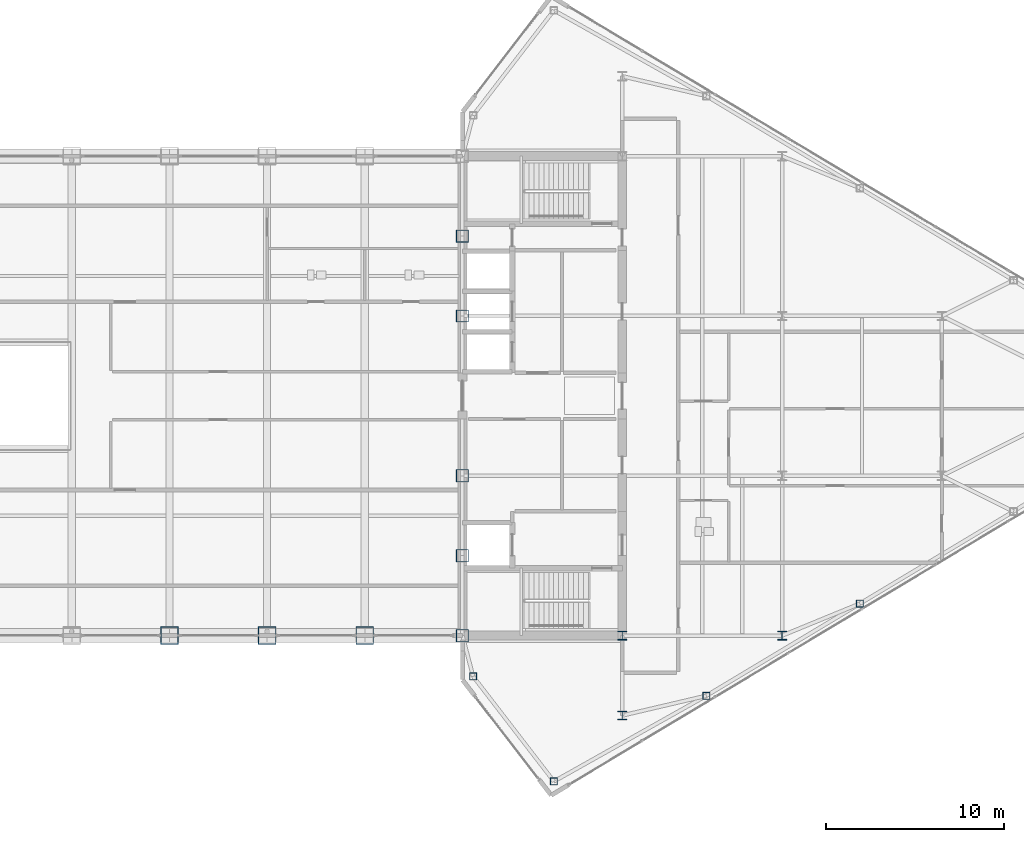
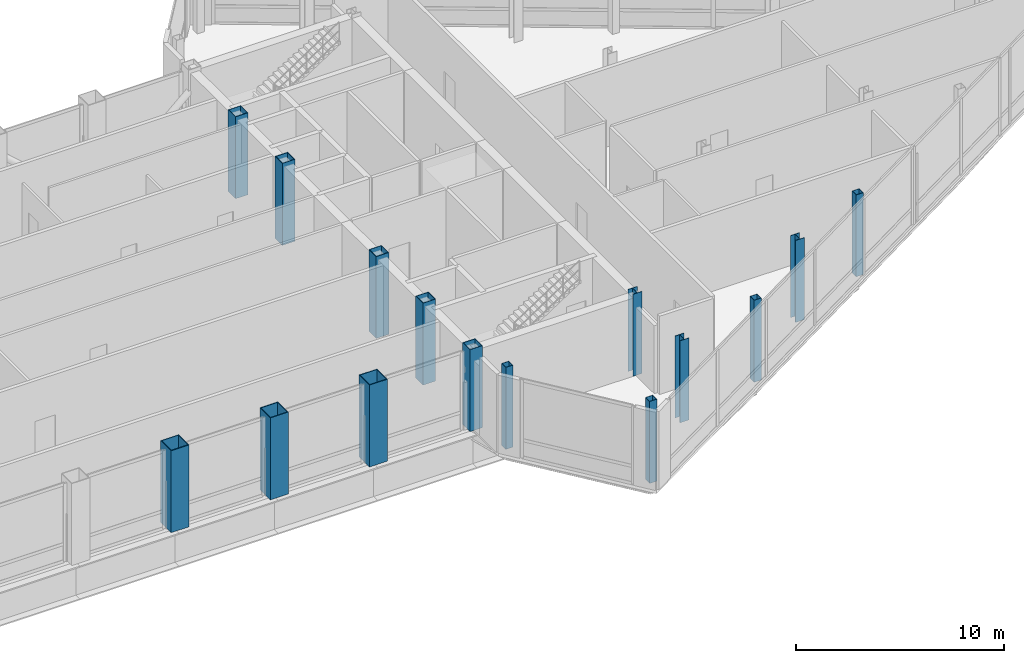
# One storey, part 4 of 30: 15 columns.
"""IFC4 building model written with IfcOpenShell, lengths in metres."""

import ifcopenshell
import ifcopenshell.guid

model = None  # the IFC model being written
_history = None  # IfcOwnerHistory: only IFC2X3 demands one
_inside = {}  # id of a spatial element -> (the spatial element, [elements in it])
_under = {}  # id of a project, library or spatial element -> (it, [spatial elements below it])
_declared = {}  # id of a project -> (the project, [libraries it declares])
_typed = {}  # id of a type object -> (the type object, [elements of that type])
_made_of = {}  # id of a material, layer set ... -> (it, [elements and type objects made of it])


def new_model(schema):
    """Start an empty IFC model of exactly this schema.

    Asked for "IFC4X3", IfcOpenShell would pick the latest addendum, in which some entities
    have other attributes; the version numbers below select the first issue.
    IFC2X3 requires an IfcOwnerHistory on every rooted entity: one is made here for all.
    """
    global model, _history
    if schema == "IFC4X3":
        model = ifcopenshell.file(schema_version=(4, 3, 0, 0))
    else:
        model = ifcopenshell.file(schema=schema)
    _inside.clear()
    _under.clear()
    _declared.clear()
    _typed.clear()
    _made_of.clear()
    _history = None
    if model.schema == "IFC2X3":
        org = make("IfcOrganization", Name="unknown")
        user = make(
            "IfcPersonAndOrganization",
            ThePerson=make("IfcPerson", FamilyName="unknown"),
            TheOrganization=org,
        )
        app = make(
            "IfcApplication",
            ApplicationDeveloper=org,
            Version="unknown",
            ApplicationFullName="unknown",
            ApplicationIdentifier="unknown",
        )
        _history = make(
            "IfcOwnerHistory",
            OwningUser=user,
            OwningApplication=app,
            ChangeAction="ADDED",
            CreationDate=0,
        )
    return model


def make(cls, **values):
    """One entity of the class cls with the attributes given. An attribute that is None is left unset."""
    return model.create_entity(
        cls, **{name: value for name, value in values.items() if value is not None}
    )


def rooted(cls, **values):
    """An entity with a GlobalId (a new one), such as an element, a storey or a relation."""
    return make(cls, GlobalId=ifcopenshell.guid.new(), OwnerHistory=_history, **values)


def si_unit(unit_type, name, prefix=None):
    """IfcSIUnit, for example si_unit("LENGTHUNIT", "METRE", prefix="MILLI")."""
    return make("IfcSIUnit", UnitType=unit_type, Prefix=prefix, Name=name)


def assignment(units):
    """IfcUnitAssignment: the units of a project."""
    return None if units is None else make("IfcUnitAssignment", Units=units)


def point(xyz):
    """IfcCartesianPoint."""
    return None if xyz is None else make("IfcCartesianPoint", Coordinates=xyz)


def direction(xyz):
    """IfcDirection."""
    return None if xyz is None else make("IfcDirection", DirectionRatios=xyz)


def frame(location, z_axis=None, x_axis=None):
    """IfcAxis2Placement3D, a coordinate frame: its origin and axes. An axis left out is left unset."""
    return make(
        "IfcAxis2Placement3D",
        Location=point(location),
        Axis=direction(z_axis),
        RefDirection=direction(x_axis),
    )


def frame_2d(location, x_axis=None):
    """IfcAxis2Placement2D, a coordinate frame in the plane: its origin and x axis."""
    return make(
        "IfcAxis2Placement2D", Location=point(location), RefDirection=direction(x_axis)
    )


def origin():
    """The frame at (0, 0, 0) with its axes left unset."""
    return frame((0.0, 0.0, 0.0))


def origin_2d():
    """The frame at (0, 0) in the plane with its x axis left unset."""
    return frame_2d((0.0, 0.0))


def place(relative_to, where):
    """IfcLocalPlacement: puts the frame where relative to a parent placement (None: the world)."""
    return make(
        "IfcLocalPlacement", PlacementRelTo=relative_to, RelativePlacement=where
    )


def context(
    kind, dimensions, precision=None, world=None, true_north=None, identifier=None
):
    """IfcGeometricRepresentationContext, for example the 3D "Model" context."""
    return make(
        "IfcGeometricRepresentationContext",
        ContextIdentifier=identifier,
        ContextType=kind,
        CoordinateSpaceDimension=dimensions,
        Precision=precision,
        WorldCoordinateSystem=world,
        TrueNorth=true_north,
    )


def subcontext(parent, identifier, kind, view, scale=None):
    """IfcGeometricRepresentationSubContext, for example "Body" below "Model"."""
    return make(
        "IfcGeometricRepresentationSubContext",
        ContextIdentifier=identifier,
        ContextType=kind,
        ParentContext=parent,
        TargetScale=scale,
        TargetView=view,
    )


def project(units=None, contexts=None):
    """IfcProject with its units and contexts."""
    return rooted(
        "IfcProject",
        Name="project",
        RepresentationContexts=contexts,
        UnitsInContext=assignment(units),
    )


def spatial(cls, under=None, at=None, **own):
    """A site, building, storey or space (cls), placed at a placement, below another one or the project."""
    s = rooted(cls, ObjectPlacement=at, **own)
    if under is not None:
        _under.setdefault(under.id(), (under, []))[1].append(s)
    return s


def profile(cls, at=None, kind="AREA", **sizes):
    """A parametric profile (cls). Its sizes go by their IFC names, for example OverallWidth=200.0."""
    return make(cls, ProfileType=kind, Position=at, **sizes)


def hollow_rectangle(**sizes):
    """IfcRectangleHollowProfileDef."""
    return profile("IfcRectangleHollowProfileDef", **sizes)


def i_section(**sizes):
    """IfcIShapeProfileDef."""
    return profile("IfcIShapeProfileDef", **sizes)


def extrude(swept, where, along, depth):
    """IfcExtrudedAreaSolid: the profile swept, set in the frame where, extruded along a direction by depth."""
    return make(
        "IfcExtrudedAreaSolid",
        SweptArea=swept,
        Position=where,
        ExtrudedDirection=direction(along),
        Depth=depth,
    )


def shape(context_of_items, identifier, shape_type, items):
    """IfcShapeRepresentation: the items that make up one representation, for example the "Body"."""
    return make(
        "IfcShapeRepresentation",
        ContextOfItems=context_of_items,
        RepresentationIdentifier=identifier,
        RepresentationType=shape_type,
        Items=items,
    )


def source(mapping_origin, context_of_items, identifier, shape_type, items):
    """IfcRepresentationMap: a shape defined once, which mapped items show again and again."""
    return make(
        "IfcRepresentationMap",
        MappingOrigin=mapping_origin,
        MappedRepresentation=shape(context_of_items, identifier, shape_type, items),
    )


def transform(
    local_origin,
    x_axis=None,
    y_axis=None,
    z_axis=None,
    scale=None,
    scale2=None,
    scale3=None,
    uniform=True,
):
    """IfcCartesianTransformationOperator3D, or its non-uniform kind. x_axis, y_axis, z_axis: its Axis1, 2, 3."""
    if uniform:
        return make(
            "IfcCartesianTransformationOperator3D",
            Axis1=direction(x_axis),
            Axis2=direction(y_axis),
            LocalOrigin=point(local_origin),
            Scale=scale,
            Axis3=direction(z_axis),
        )
    return make(
        "IfcCartesianTransformationOperator3DnonUniform",
        Axis1=direction(x_axis),
        Axis2=direction(y_axis),
        LocalOrigin=point(local_origin),
        Scale=scale,
        Axis3=direction(z_axis),
        Scale2=scale2,
        Scale3=scale3,
    )


def mapped(mapping_source, mapping_target):
    """IfcMappedItem: shows the shape of a source again, moved by a transform."""
    return make(
        "IfcMappedItem", MappingSource=mapping_source, MappingTarget=mapping_target
    )


def material(Name=None, Category=None):
    """IfcMaterial."""
    return make("IfcMaterial", Name=Name, Category=Category)


def material_profile(
    of_material, cross_section, Name=None, Category=None, Priority=None
):
    """IfcMaterialProfile: a cross section and its material."""
    return make(
        "IfcMaterialProfile",
        Name=Name,
        Material=of_material,
        Profile=cross_section,
        Priority=Priority,
        Category=Category,
    )


def profile_set(profiles, Name=None, composite=None):
    """IfcMaterialProfileSet."""
    return make(
        "IfcMaterialProfileSet",
        Name=Name,
        MaterialProfiles=profiles,
        CompositeProfile=composite,
    )


def made_of(thing, what):
    """Note that an element or type object is made of a material, layer set ...; save() writes the relation."""
    if what is not None:
        _made_of.setdefault(what.id(), (what, []))[1].append(thing)
    return thing


def type_object(cls, material=None, **own):
    """A type object (cls), such as IfcWallType, which elements share."""
    return made_of(rooted(cls, **own), material)


def type_shapes(of_type, sources):
    """Give a type object the sources (RepresentationMaps) that its elements show as mapped items."""
    of_type.RepresentationMaps = sources


def element(
    cls,
    number,
    at=None,
    inside=None,
    cuts=None,
    type_object=None,
    material=None,
    context=None,
    identifier="Body",
    shape_type=None,
    held_by="IfcProductDefinitionShape",
    body=None,
    shapes=None,
    **own,
):
    """One element of the class cls, such as IfcWall. Its Tag is "e" and its number.

    at: its placement. inside: the storey or other place that contains it. cuts: it is an
    opening in that element (IfcRelVoidsElement). A single representation is given by context,
    identifier, shape_type and body (its items); several are given by shapes. held_by: the class
    of the entity that holds the representations. save() writes the other relations.
    """
    e = rooted(cls, Tag="e%d" % number, ObjectPlacement=at, **own)
    if body is not None:
        shapes = [shape(context, identifier, shape_type, body)]
    if shapes is not None:
        e.Representation = make(held_by, Representations=shapes)
    if inside is not None:
        _inside.setdefault(inside.id(), (inside, []))[1].append(e)
    if cuts is not None:
        rooted(
            "IfcRelVoidsElement", RelatingBuildingElement=cuts, RelatedOpeningElement=e
        )
    if type_object is not None:
        _typed.setdefault(type_object.id(), (type_object, []))[1].append(e)
    return made_of(e, material)


def aggregate(whole, parts):
    """IfcRelAggregates: a whole, such as a stair, and the parts it consists of."""
    return rooted("IfcRelAggregates", RelatingObject=whole, RelatedObjects=parts)


def save(model, path):
    """Write the relations noted so far, then the file.

    IfcRelAggregates (storeys below a building ...), IfcRelContainedInSpatialStructure (elements
    in a storey), IfcRelDefinesByType, IfcRelAssociatesMaterial and IfcRelDeclares: one each for
    every whole, place, type object, material and project.
    """
    for whole, parts in _under.values():
        aggregate(whole, parts)
    for where, things in _inside.values():
        rooted(
            "IfcRelContainedInSpatialStructure",
            RelatedElements=things,
            RelatingStructure=where,
        )
    for kind, things in _typed.values():
        rooted("IfcRelDefinesByType", RelatedObjects=things, RelatingType=kind)
    for what, things in _made_of.values():
        rooted("IfcRelAssociatesMaterial", RelatedObjects=things, RelatingMaterial=what)
    for by, libraries in _declared.values():
        rooted("IfcRelDeclares", RelatingContext=by, RelatedDefinitions=libraries)
    model.write(path)


model = new_model("IFC4")

# Units and contexts
model_context = context("Model", 3, precision=1e-05, world=origin(), true_north=direction((0.0, 1.0)))
body_context = subcontext(model_context, "Body", "Model", "MODEL_VIEW")
ifc_project = project(units=[si_unit("LENGTHUNIT", "METRE"), si_unit("AREAUNIT", "SQUARE_METRE"), si_unit("VOLUMEUNIT", "CUBIC_METRE"), si_unit("PLANEANGLEUNIT", "RADIAN"), si_unit("MASSUNIT", "GRAM", prefix="KILO")], contexts=[model_context])

# Site, building, storey
site_placement = place(None, origin())
site = spatial("IfcSite", under=ifc_project, at=site_placement, CompositionType="ELEMENT")
building_placement = place(site_placement, origin())
building = spatial("IfcBuilding", under=site, at=building_placement, Name="Seokmaru Belvedere", CompositionType="ELEMENT")
storey_placement = place(building_placement, frame((0.0, 0.0, 234.60009765625)))
storey = spatial("IfcBuildingStorey", under=building, at=storey_placement, Name="L62", CompositionType="ELEMENT", Elevation=234.60009765625)

# Columns
ifc_material_1 = material(Name="Steel HSA650 (650 MPa)", Category="steel")
ifc_material_profile_1 = material_profile(ifc_material_1, hollow_rectangle(XDim=1.0, YDim=1.0, WallThickness=0.0419921875, at=origin_2d()), Name="BOX-1000x1000x42")
ifc_profile_set_1 = profile_set([ifc_material_profile_1], Name="Steel HSA650 (650 MPa)")
column_type_1 = type_object("IfcColumnType", Name="Portal Spine Column BOX-1000", PredefinedType="COLUMN", material=ifc_profile_set_1)
shared_shape_1 = source(origin(), body_context, "Body", "SweptSolid", [
    extrude(hollow_rectangle(XDim=1.0, YDim=1.0, WallThickness=0.0419921875, at=origin_2d()), origin(), (0.0, 0.0, 1.0), 4.7998046875),
])
type_shapes(column_type_1, [shared_shape_1])
for number, where, z_axis, x_axis, name in (
    (1, (11.0, -13.5, 0.0), (0.0, 0.0, 1.0), (1.0, 0.0, 0.0), "L62 Column BRS_7"),
    (2, (16.5, -13.5, 0.0), (0.0, 0.0, 1.0), (1.0, 0.0, 0.0), "L62 Column BRS_8"),
    (3, (22.0, -13.5, 0.0), (0.0, 0.0, 1.0), (1.0, 0.0, 0.0), "L62 Column BRS_9"),
):
    element("IfcColumn", number, at=place(storey_placement, frame(where, z_axis=z_axis, x_axis=x_axis)), inside=storey, type_object=column_type_1, Name=name, PredefinedType="COLUMN", context=body_context, shape_type="MappedRepresentation", body=[
        mapped(shared_shape_1, transform((0.0, 0.0, 0.0), scale=1.0)),
    ])
ifc_material_2 = material(Name="Steel SM355 (355 MPa)", Category="steel")
ifc_material_profile_2 = material_profile(ifc_material_2, hollow_rectangle(XDim=0.699951171875, YDim=0.699951171875, WallThickness=0.030029296875, at=origin_2d()), Name="BOX-700x700x30")
ifc_profile_set_2 = profile_set([ifc_material_profile_2], Name="Steel SM355 (355 MPa)")
column_type_2 = type_object("IfcColumnType", Name="Upper Spine Column BOX-700", PredefinedType="COLUMN", material=ifc_profile_set_2)
shared_shape_2 = source(origin(), body_context, "Body", "SweptSolid", [
    extrude(hollow_rectangle(XDim=0.699951171875, YDim=0.699951171875, WallThickness=0.030029296875, at=origin_2d()), origin(), (0.0, 0.0, 1.0), 4.7998046875),
])
type_shapes(column_type_2, [shared_shape_2])
for number, where, z_axis, x_axis, name in (
    (4, (27.5, -13.5, 0.0), (0.0, 0.0, 1.0), (1.0, 0.0, 0.0), "L62 Column ES1"),
    (5, (27.5, -9.0, 0.0), (0.0, 0.0, 1.0), (1.0, 0.0, 0.0), "L62 Column ES2"),
    (6, (27.5, -4.5, 0.0), (0.0, 0.0, 1.0), (1.0, 0.0, 0.0), "L62 Column ES3"),
    (7, (27.5, 4.5, 0.0), (0.0, 0.0, 1.0), (1.0, 0.0, 0.0), "L62 Column ES4"),
    (8, (27.5, 9.0, 0.0), (0.0, 0.0, 1.0), (1.0, 0.0, 0.0), "L62 Column ES5"),
):
    element("IfcColumn", number, at=place(storey_placement, frame(where, z_axis=z_axis, x_axis=x_axis)), inside=storey, type_object=column_type_2, Name=name, PredefinedType="COLUMN", context=body_context, shape_type="MappedRepresentation", body=[
        mapped(shared_shape_2, transform((0.0, 0.0, 0.0), scale=1.0)),
    ])
ifc_material_profile_3 = material_profile(ifc_material_2, i_section(OverallWidth=0.5, OverallDepth=0.5, WebThickness=0.02001953125, FlangeThickness=0.031982421875, at=origin_2d()), Name="H-500x500x20x32")
ifc_profile_set_3 = profile_set([ifc_material_profile_3], Name="Steel SM355 (355 MPa)")
column_type_3 = type_object("IfcColumnType", Name="High-Rise Interior Column H-500", PredefinedType="COLUMN", material=ifc_profile_set_3)
shared_shape_3 = source(origin(), body_context, "Body", "SweptSolid", [
    extrude(i_section(OverallWidth=0.5, OverallDepth=0.5, WebThickness=0.02001953125, FlangeThickness=0.031982421875, at=origin_2d()), origin(), (0.0, 0.0, 1.0), 4.7998046875),
])
type_shapes(column_type_3, [shared_shape_3])
for number, where, z_axis, x_axis, name in (
    (9, (36.5, -18.0, 0.0), (0.0, 0.0, 1.0), (1.0, 0.0, 0.0), "L62 Column EC1"),
    (10, (36.5, -13.5, 0.0), (0.0, 0.0, 1.0), (1.0, 0.0, 0.0), "L62 Column EC2"),
    (11, (45.5, -13.5, 0.0), (0.0, 0.0, 1.0), (1.0, 0.0, 0.0), "L62 Column EG5_1"),
):
    element("IfcColumn", number, at=place(storey_placement, frame(where, z_axis=z_axis, x_axis=x_axis)), inside=storey, type_object=column_type_3, Name=name, PredefinedType="COLUMN", context=body_context, shape_type="MappedRepresentation", body=[
        mapped(shared_shape_3, transform((0.0, 0.0, 0.0), scale=1.0)),
    ])
ifc_material_profile_4 = material_profile(ifc_material_2, hollow_rectangle(XDim=0.39990234375, YDim=0.39990234375, WallThickness=0.01611328125, at=origin_2d()), Name="HSS-400x400x16")
ifc_profile_set_4 = profile_set([ifc_material_profile_4], Name="Steel SM355 (355 MPa)")
column_type_4 = type_object("IfcColumnType", Name="Perimeter Facet Column HSS-400", PredefinedType="COLUMN", material=ifc_profile_set_4)
shared_shape_4 = source(origin(), body_context, "Body", "SweptSolid", [
    extrude(hollow_rectangle(XDim=0.39990234375, YDim=0.39990234375, WallThickness=0.01611328125, at=origin_2d()), origin(), (0.0, 0.0, 1.0), 4.7998046875),
])
type_shapes(column_type_4, [shared_shape_4])
for number, where, z_axis, x_axis, name in (
    (12, (32.649658203125, -21.71044921875, 0.0), (0.0, 0.0, 1.0), (1.0, 0.0, 0.0), "L62 Column EF1"),
    (13, (28.10009765625, -15.7958984375, 0.0), (0.0, 0.0, 1.0), (1.0, 0.0, 0.0), "L62 Column EF6"),
    (14, (41.229736328125, -16.888916015625, 0.0), (0.0, 0.0, 1.0), (1.0, 0.0, 0.0), "L62 Column EFLK_S1"),
    (15, (49.8798828125, -11.698974609375, 0.0), (0.0, 0.0, 1.0), (1.0, 0.0, 0.0), "L62 Column EFLK_S2"),
):
    element("IfcColumn", number, at=place(storey_placement, frame(where, z_axis=z_axis, x_axis=x_axis)), inside=storey, type_object=column_type_4, Name=name, PredefinedType="COLUMN", context=body_context, shape_type="MappedRepresentation", body=[
        mapped(shared_shape_4, transform((0.0, 0.0, 0.0), scale=1.0)),
    ])

save(model, "model.ifc")
